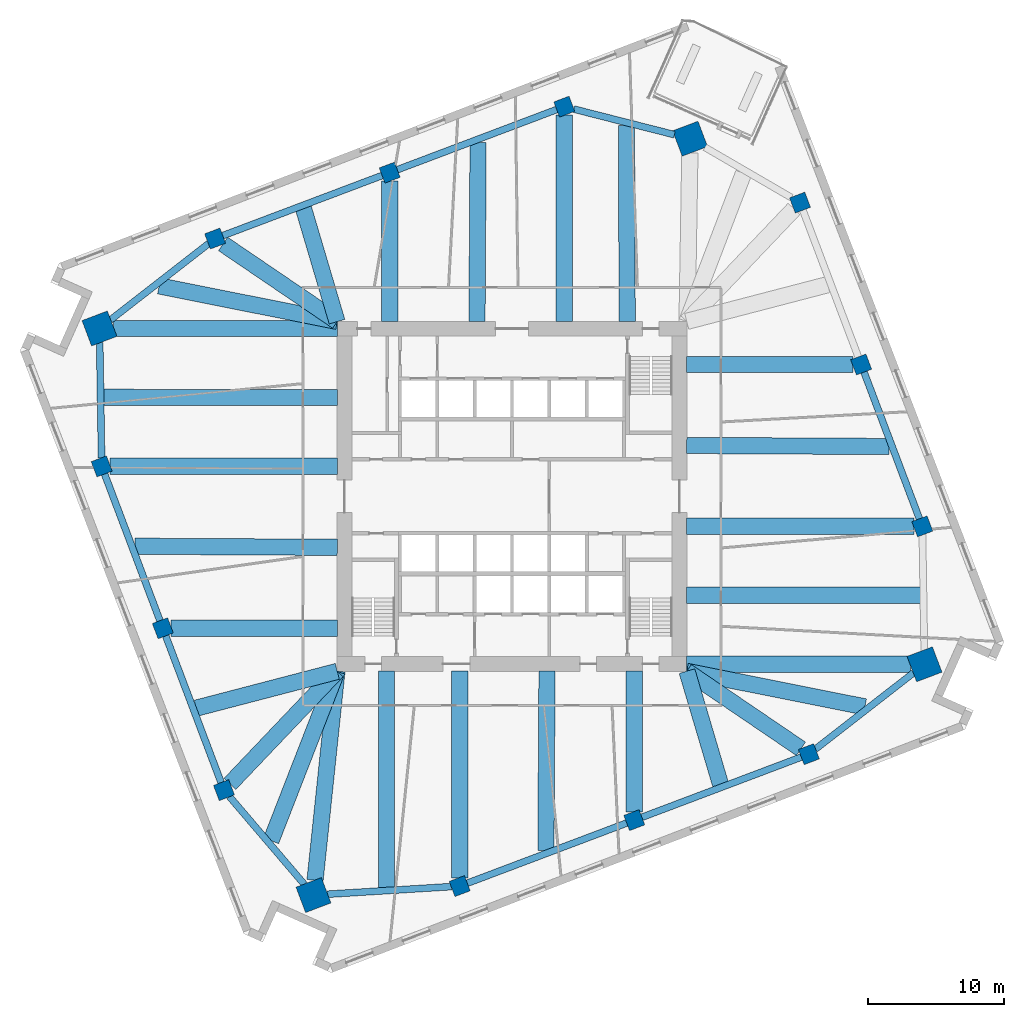
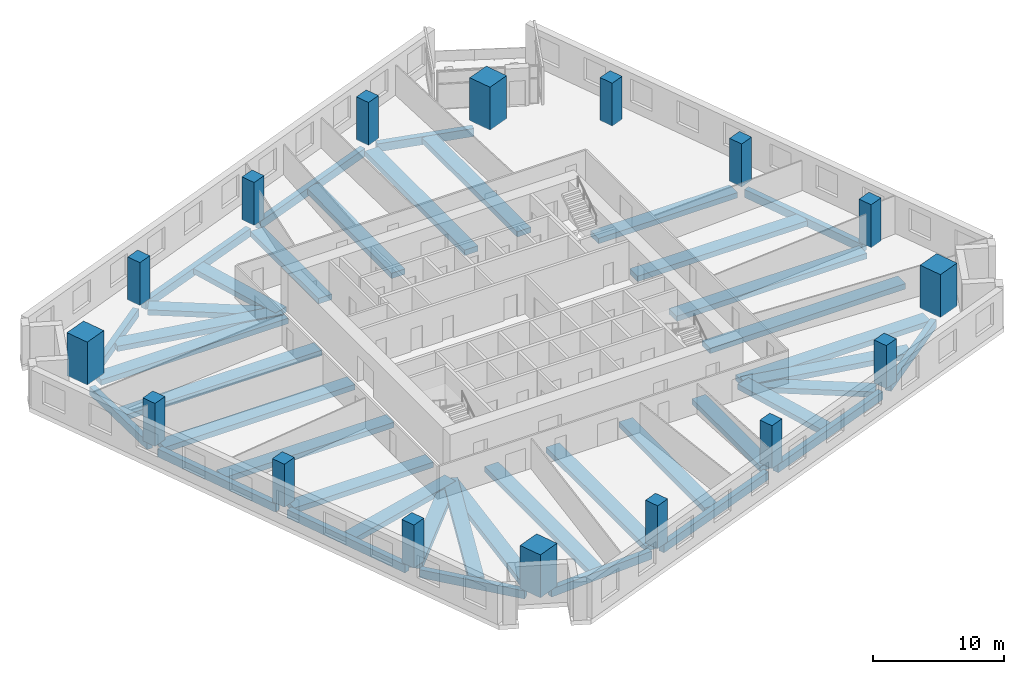
# One storey, part 1 of 14: 41 beams, 16 columns.
"""IFC4 building model written with IfcOpenShell, lengths in metres."""

import ifcopenshell
import ifcopenshell.guid

model = None  # the IFC model being written
_history = None  # IfcOwnerHistory: only IFC2X3 demands one
_inside = {}  # id of a spatial element -> (the spatial element, [elements in it])
_under = {}  # id of a project, library or spatial element -> (it, [spatial elements below it])
_declared = {}  # id of a project -> (the project, [libraries it declares])
_typed = {}  # id of a type object -> (the type object, [elements of that type])
_made_of = {}  # id of a material, layer set ... -> (it, [elements and type objects made of it])


def new_model(schema):
    """Start an empty IFC model of exactly this schema.

    Asked for "IFC4X3", IfcOpenShell would pick the latest addendum, in which some entities
    have other attributes; the version numbers below select the first issue.
    IFC2X3 requires an IfcOwnerHistory on every rooted entity: one is made here for all.
    """
    global model, _history
    if schema == "IFC4X3":
        model = ifcopenshell.file(schema_version=(4, 3, 0, 0))
    else:
        model = ifcopenshell.file(schema=schema)
    _inside.clear()
    _under.clear()
    _declared.clear()
    _typed.clear()
    _made_of.clear()
    _history = None
    if model.schema == "IFC2X3":
        org = make("IfcOrganization", Name="unknown")
        user = make(
            "IfcPersonAndOrganization",
            ThePerson=make("IfcPerson", FamilyName="unknown"),
            TheOrganization=org,
        )
        app = make(
            "IfcApplication",
            ApplicationDeveloper=org,
            Version="unknown",
            ApplicationFullName="unknown",
            ApplicationIdentifier="unknown",
        )
        _history = make(
            "IfcOwnerHistory",
            OwningUser=user,
            OwningApplication=app,
            ChangeAction="ADDED",
            CreationDate=0,
        )
    return model


def make(cls, **values):
    """One entity of the class cls with the attributes given. An attribute that is None is left unset."""
    return model.create_entity(
        cls, **{name: value for name, value in values.items() if value is not None}
    )


def rooted(cls, **values):
    """An entity with a GlobalId (a new one), such as an element, a storey or a relation."""
    return make(cls, GlobalId=ifcopenshell.guid.new(), OwnerHistory=_history, **values)


def si_unit(unit_type, name, prefix=None):
    """IfcSIUnit, for example si_unit("LENGTHUNIT", "METRE", prefix="MILLI")."""
    return make("IfcSIUnit", UnitType=unit_type, Prefix=prefix, Name=name)


def assignment(units):
    """IfcUnitAssignment: the units of a project."""
    return None if units is None else make("IfcUnitAssignment", Units=units)


def point(xyz):
    """IfcCartesianPoint."""
    return None if xyz is None else make("IfcCartesianPoint", Coordinates=xyz)


def direction(xyz):
    """IfcDirection."""
    return None if xyz is None else make("IfcDirection", DirectionRatios=xyz)


def frame(location, z_axis=None, x_axis=None):
    """IfcAxis2Placement3D, a coordinate frame: its origin and axes. An axis left out is left unset."""
    return make(
        "IfcAxis2Placement3D",
        Location=point(location),
        Axis=direction(z_axis),
        RefDirection=direction(x_axis),
    )


def frame_2d(location, x_axis=None):
    """IfcAxis2Placement2D, a coordinate frame in the plane: its origin and x axis."""
    return make(
        "IfcAxis2Placement2D", Location=point(location), RefDirection=direction(x_axis)
    )


def origin():
    """The frame at (0, 0, 0) with its axes left unset."""
    return frame((0.0, 0.0, 0.0))


def origin_2d():
    """The frame at (0, 0) in the plane with its x axis left unset."""
    return frame_2d((0.0, 0.0))


def place(relative_to, where):
    """IfcLocalPlacement: puts the frame where relative to a parent placement (None: the world)."""
    return make(
        "IfcLocalPlacement", PlacementRelTo=relative_to, RelativePlacement=where
    )


def context(
    kind, dimensions, precision=None, world=None, true_north=None, identifier=None
):
    """IfcGeometricRepresentationContext, for example the 3D "Model" context."""
    return make(
        "IfcGeometricRepresentationContext",
        ContextIdentifier=identifier,
        ContextType=kind,
        CoordinateSpaceDimension=dimensions,
        Precision=precision,
        WorldCoordinateSystem=world,
        TrueNorth=true_north,
    )


def subcontext(parent, identifier, kind, view, scale=None):
    """IfcGeometricRepresentationSubContext, for example "Body" below "Model"."""
    return make(
        "IfcGeometricRepresentationSubContext",
        ContextIdentifier=identifier,
        ContextType=kind,
        ParentContext=parent,
        TargetScale=scale,
        TargetView=view,
    )


def project(units=None, contexts=None):
    """IfcProject with its units and contexts."""
    return rooted(
        "IfcProject",
        Name="project",
        RepresentationContexts=contexts,
        UnitsInContext=assignment(units),
    )


def spatial(cls, under=None, at=None, **own):
    """A site, building, storey or space (cls), placed at a placement, below another one or the project."""
    s = rooted(cls, ObjectPlacement=at, **own)
    if under is not None:
        _under.setdefault(under.id(), (under, []))[1].append(s)
    return s


def profile(cls, at=None, kind="AREA", **sizes):
    """A parametric profile (cls). Its sizes go by their IFC names, for example OverallWidth=200.0."""
    return make(cls, ProfileType=kind, Position=at, **sizes)


def rectangle(**sizes):
    """IfcRectangleProfileDef."""
    return profile("IfcRectangleProfileDef", **sizes)


def extrude(swept, where, along, depth):
    """IfcExtrudedAreaSolid: the profile swept, set in the frame where, extruded along a direction by depth."""
    return make(
        "IfcExtrudedAreaSolid",
        SweptArea=swept,
        Position=where,
        ExtrudedDirection=direction(along),
        Depth=depth,
    )


def shape(context_of_items, identifier, shape_type, items):
    """IfcShapeRepresentation: the items that make up one representation, for example the "Body"."""
    return make(
        "IfcShapeRepresentation",
        ContextOfItems=context_of_items,
        RepresentationIdentifier=identifier,
        RepresentationType=shape_type,
        Items=items,
    )


def material(Name=None, Category=None):
    """IfcMaterial."""
    return make("IfcMaterial", Name=Name, Category=Category)


def material_profile(
    of_material, cross_section, Name=None, Category=None, Priority=None
):
    """IfcMaterialProfile: a cross section and its material."""
    return make(
        "IfcMaterialProfile",
        Name=Name,
        Material=of_material,
        Profile=cross_section,
        Priority=Priority,
        Category=Category,
    )


def profile_set(profiles, Name=None, composite=None):
    """IfcMaterialProfileSet."""
    return make(
        "IfcMaterialProfileSet",
        Name=Name,
        MaterialProfiles=profiles,
        CompositeProfile=composite,
    )


def made_of(thing, what):
    """Note that an element or type object is made of a material, layer set ...; save() writes the relation."""
    if what is not None:
        _made_of.setdefault(what.id(), (what, []))[1].append(thing)
    return thing


def type_object(cls, material=None, **own):
    """A type object (cls), such as IfcWallType, which elements share."""
    return made_of(rooted(cls, **own), material)


def element(
    cls,
    number,
    at=None,
    inside=None,
    cuts=None,
    type_object=None,
    material=None,
    context=None,
    identifier="Body",
    shape_type=None,
    held_by="IfcProductDefinitionShape",
    body=None,
    shapes=None,
    **own,
):
    """One element of the class cls, such as IfcWall. Its Tag is "e" and its number.

    at: its placement. inside: the storey or other place that contains it. cuts: it is an
    opening in that element (IfcRelVoidsElement). A single representation is given by context,
    identifier, shape_type and body (its items); several are given by shapes. held_by: the class
    of the entity that holds the representations. save() writes the other relations.
    """
    e = rooted(cls, Tag="e%d" % number, ObjectPlacement=at, **own)
    if body is not None:
        shapes = [shape(context, identifier, shape_type, body)]
    if shapes is not None:
        e.Representation = make(held_by, Representations=shapes)
    if inside is not None:
        _inside.setdefault(inside.id(), (inside, []))[1].append(e)
    if cuts is not None:
        rooted(
            "IfcRelVoidsElement", RelatingBuildingElement=cuts, RelatedOpeningElement=e
        )
    if type_object is not None:
        _typed.setdefault(type_object.id(), (type_object, []))[1].append(e)
    return made_of(e, material)


def aggregate(whole, parts):
    """IfcRelAggregates: a whole, such as a stair, and the parts it consists of."""
    return rooted("IfcRelAggregates", RelatingObject=whole, RelatedObjects=parts)


def save(model, path):
    """Write the relations noted so far, then the file.

    IfcRelAggregates (storeys below a building ...), IfcRelContainedInSpatialStructure (elements
    in a storey), IfcRelDefinesByType, IfcRelAssociatesMaterial and IfcRelDeclares: one each for
    every whole, place, type object, material and project.
    """
    for whole, parts in _under.values():
        aggregate(whole, parts)
    for where, things in _inside.values():
        rooted(
            "IfcRelContainedInSpatialStructure",
            RelatedElements=things,
            RelatingStructure=where,
        )
    for kind, things in _typed.values():
        rooted("IfcRelDefinesByType", RelatedObjects=things, RelatingType=kind)
    for what, things in _made_of.values():
        rooted("IfcRelAssociatesMaterial", RelatedObjects=things, RelatingMaterial=what)
    for by, libraries in _declared.values():
        rooted("IfcRelDeclares", RelatingContext=by, RelatedDefinitions=libraries)
    model.write(path)


model = new_model("IFC4")

# Units and contexts
model_context = context("Model", 3, precision=1e-05, world=origin(), true_north=direction((0.0, 1.0)))
body_context = subcontext(model_context, "Body", "Model", "MODEL_VIEW")
ifc_project = project(units=[si_unit("LENGTHUNIT", "METRE"), si_unit("AREAUNIT", "SQUARE_METRE"), si_unit("VOLUMEUNIT", "CUBIC_METRE"), si_unit("PLANEANGLEUNIT", "RADIAN"), si_unit("MASSUNIT", "GRAM", prefix="KILO")], contexts=[model_context])

# Site, building, storey
site_placement = place(None, origin())
site = spatial("IfcSite", under=ifc_project, at=site_placement, CompositionType="ELEMENT")
building_placement = place(site_placement, origin())
building = spatial("IfcBuilding", under=site, at=building_placement, Name="Dilmun Exchange Tower", CompositionType="ELEMENT")
storey_placement = place(building_placement, frame((0.0, 0.0, 102.10009765625)))
storey = spatial("IfcBuildingStorey", under=building, at=storey_placement, Name="L23", CompositionType="ELEMENT", Elevation=102.10009765625)

# Columns
ifc_material_1 = material(Name="Concrete C70/85", Category="concrete")
ifc_material_profile_1 = material_profile(ifc_material_1, rectangle(XDim=2.0, YDim=2.0, at=origin_2d()), Name="2000 x 2000")
ifc_profile_set_1 = profile_set([ifc_material_profile_1], Name="Concrete C70/85")
column_type_1 = type_object("IfcColumnType", Name="RC mega column 2000 x 2000 C70/85", PredefinedType="COLUMN", material=ifc_profile_set_1)
for number, where, z_axis, x_axis, name in (
    (1, (13.1220703125, 26.35400390625, 0.0), (0.0, 0.0, 1.0), (0.935491525991, 0.353349125935, 0.0), "Mega column M1"),
    (2, (-30.39404296875, 12.37109375, 0.0), (0.0, 0.0, 1.0), (0.935491525991, 0.353349125935, 0.0), "Mega column M2"),
    (3, (-14.6259765625, -29.3759765625, 0.0), (0.0, 0.0, 1.0), (0.935491525991, 0.353349125935, 0.0), "Mega column M3"),
    (4, (30.39404296875, -12.37109375, 0.0), (0.0, 0.0, 1.0), (0.935491525991, 0.353349125935, 0.0), "Mega column M4"),
):
    element("IfcColumn", number, at=place(storey_placement, frame(where, z_axis=z_axis, x_axis=x_axis)), inside=storey, type_object=column_type_1, Name=name, PredefinedType="COLUMN", context=body_context, shape_type="SweptSolid", body=[
        extrude(rectangle(XDim=2.0, YDim=2.0, at=origin_2d()), origin(), (0.0, 0.0, 1.0), 4.0),
    ])
ifc_material_profile_2 = material_profile(ifc_material_1, rectangle(XDim=1.199951171875, YDim=1.199951171875, at=origin_2d()), Name="1200 x 1200")
ifc_profile_set_2 = profile_set([ifc_material_profile_2], Name="Concrete C70/85")
column_type_2 = type_object("IfcColumnType", Name="RC ring column 1200 x 1200 C70/85", PredefinedType="COLUMN", material=ifc_profile_set_2)
for number, where, z_axis, x_axis, name in (
    (5, (3.85302734375, 28.714111328125, 0.0), (0.0, 0.0, 1.0), (0.935491525991, 0.353349125935, 0.0), "Ring column R01"),
    (6, (-9.010009765625, 23.85498046875, 0.0), (0.0, 0.0, 1.0), (0.935491525991, 0.353349125935, 0.0), "Ring column R02"),
    (7, (-21.873046875, 18.99609375, 0.0), (0.0, 0.0, 1.0), (0.935491525991, 0.353349125935, 0.0), "Ring column R03"),
    (8, (-30.23095703125, 2.2099609375, 0.0), (0.0, 0.0, 1.0), (0.935491525991, 0.353349125935, 0.0), "Ring column R04"),
    (9, (-25.72607421875, -9.717041015625, 0.0), (0.0, 0.0, 1.0), (0.935491525991, 0.353349125935, 0.0), "Ring column R05"),
    (10, (-21.220947265625, -21.64501953125, 0.0), (0.0, 0.0, 1.0), (0.935491525991, 0.353349125935, 0.0), "Ring column R06"),
    (11, (-3.85302734375, -28.714111328125, 0.0), (0.0, 0.0, 1.0), (0.935491525991, 0.353349125935, 0.0), "Ring column R07"),
    (12, (9.010009765625, -23.85498046875, 0.0), (0.0, 0.0, 1.0), (0.935491525991, 0.353349125935, 0.0), "Ring column R08"),
    (13, (21.873046875, -18.99609375, 0.0), (0.0, 0.0, 1.0), (0.935491525991, 0.353349125935, 0.0), "Ring column R09"),
    (14, (30.23095703125, -2.2099609375, 0.0), (0.0, 0.0, 1.0), (0.935491525991, 0.353349125935, 0.0), "Ring column R10"),
    (15, (25.72607421875, 9.717041015625, 0.0), (0.0, 0.0, 1.0), (0.935491525991, 0.353349125935, 0.0), "Ring column R11"),
    (16, (21.220947265625, 21.64501953125, 0.0), (0.0, 0.0, 1.0), (0.935491525991, 0.353349125935, 0.0), "Ring column R12"),
):
    element("IfcColumn", number, at=place(storey_placement, frame(where, z_axis=z_axis, x_axis=x_axis)), inside=storey, type_object=column_type_2, Name=name, PredefinedType="COLUMN", context=body_context, shape_type="SweptSolid", body=[
        extrude(rectangle(XDim=1.199951171875, YDim=1.199951171875, at=origin_2d()), origin(), (0.0, 0.0, 1.0), 4.0),
    ])

# Beams
ifc_material_2 = material(Name="Concrete C40/50", Category="concrete")
ifc_material_profile_3 = material_profile(ifc_material_2, rectangle(XDim=1.199951171875, YDim=0.5, at=origin_2d()), Name="1200 x 500")
ifc_profile_set_3 = profile_set([ifc_material_profile_3], Name="Concrete C40/50")
beam_type_1 = type_object("IfcBeamType", Name="RC band beam 1200 x 500 C40/50", PredefinedType="BEAM", material=ifc_profile_set_3)
beam_1_placement = place(storey_placement, frame((3.85302734375, 28.099609375, -0.77001953125), z_axis=(0.0, -1.0, 0.0), x_axis=(1.0, 0.0, 0.0)))
element("IfcBeam", 17, at=beam_1_placement, inside=storey, type_object=beam_type_1, Name="Band beam 2", PredefinedType="BEAM", context=body_context, shape_type="SweptSolid", body=[
    extrude(rectangle(XDim=1.199951171875, YDim=0.5, at=origin_2d()), origin(), (0.0, 0.0, 1.0), 15.2265625),
])
beam_2_placement = place(storey_placement, frame((-9.010009765625, 23.240478515625, -0.77001953125), z_axis=(0.0, -1.0, 0.0), x_axis=(1.0, 0.0, 0.0)))
element("IfcBeam", 18, at=beam_2_placement, inside=storey, type_object=beam_type_1, Name="Band beam 3", PredefinedType="BEAM", context=body_context, shape_type="SweptSolid", body=[
    extrude(rectangle(XDim=1.199951171875, YDim=0.5, at=origin_2d()), origin(), (0.0, 0.0, 1.0), 10.367431640625),
])
beam_3_placement = place(storey_placement, frame((-21.28857421875, 18.59912109375, -0.77001953125), z_axis=(0.827157308771, -0.561970449888, 0.0), x_axis=(0.561970449888, 0.827157308771, 0.0)))
element("IfcBeam", 19, at=beam_3_placement, inside=storey, type_object=beam_type_1, Name="Band beam 4", PredefinedType="BEAM", context=body_context, shape_type="SweptSolid", body=[
    extrude(rectangle(XDim=1.199951171875, YDim=0.5, at=origin_2d()), origin(), (0.0, 0.0, 1.0), 10.16845703125),
])
beam_4_placement = place(storey_placement, frame((-29.35205078125, 12.37109375, -0.77001953125), z_axis=(1.0, 0.0, 0.0), x_axis=(0.0, 1.0, 0.0)))
element("IfcBeam", 20, at=beam_4_placement, inside=storey, type_object=beam_type_1, Name="Band beam 5", PredefinedType="BEAM", context=body_context, shape_type="SweptSolid", body=[
    extrude(rectangle(XDim=1.199951171875, YDim=0.5, at=origin_2d()), origin(), (0.0, 0.0, 1.0), 16.47900390625),
])
beam_5_placement = place(storey_placement, frame((-29.61669921875, 2.2099609375, -0.77001953125), z_axis=(1.0, 0.0, 0.0), x_axis=(0.0, 1.0, 0.0)))
element("IfcBeam", 21, at=beam_5_placement, inside=storey, type_object=beam_type_1, Name="Band beam 6", PredefinedType="BEAM", context=body_context, shape_type="SweptSolid", body=[
    extrude(rectangle(XDim=1.199951171875, YDim=0.5, at=origin_2d()), origin(), (0.0, 0.0, 1.0), 16.74365234375),
])
beam_6_placement = place(storey_placement, frame((-25.111572265625, -9.717041015625, -0.77001953125), z_axis=(1.0, 0.0, 0.0), x_axis=(0.0, 1.0, 0.0)))
element("IfcBeam", 22, at=beam_6_placement, inside=storey, type_object=beam_type_1, Name="Band beam 7", PredefinedType="BEAM", context=body_context, shape_type="SweptSolid", body=[
    extrude(rectangle(XDim=1.199951171875, YDim=0.5, at=origin_2d()), origin(), (0.0, 0.0, 1.0), 12.238525390625),
])
beam_7_placement = place(storey_placement, frame((-20.780517578125, -21.181884765625, -0.77001953125), z_axis=(0.689333244672, 0.724444392476, 0.0), x_axis=(-0.724444392476, 0.689333244672, 0.0)))
element("IfcBeam", 23, at=beam_7_placement, inside=storey, type_object=beam_type_1, Name="Band beam 8", PredefinedType="BEAM", context=body_context, shape_type="SweptSolid", body=[
    extrude(rectangle(XDim=1.199951171875, YDim=0.5, at=origin_2d()), origin(), (0.0, 0.0, 1.0), 11.459228515625),
])
beam_8_placement = place(storey_placement, frame((-14.51220703125, -28.289794921875, -0.77001953125), z_axis=(0.104185478447, 0.994557884731, 0.0), x_axis=(-0.994557884731, 0.104185478447, 0.0)))
element("IfcBeam", 24, at=beam_8_placement, inside=storey, type_object=beam_type_1, Name="Band beam 9", PredefinedType="BEAM", context=body_context, shape_type="SweptSolid", body=[
    extrude(rectangle(XDim=1.199951171875, YDim=0.5, at=origin_2d()), origin(), (0.0, 0.0, 1.0), 15.501220703125),
])
beam_9_placement = place(storey_placement, frame((-3.85302734375, -28.099609375, -0.77001953125), z_axis=(0.0, 1.0, 0.0), x_axis=(-1.0, 0.0, 0.0)))
element("IfcBeam", 25, at=beam_9_placement, inside=storey, type_object=beam_type_1, Name="Band beam 10", PredefinedType="BEAM", context=body_context, shape_type="SweptSolid", body=[
    extrude(rectangle(XDim=1.199951171875, YDim=0.5, at=origin_2d()), origin(), (0.0, 0.0, 1.0), 15.2265625),
])
beam_10_placement = place(storey_placement, frame((9.010009765625, -23.240478515625, -0.77001953125), z_axis=(0.0, 1.0, 0.0), x_axis=(-1.0, 0.0, 0.0)))
element("IfcBeam", 26, at=beam_10_placement, inside=storey, type_object=beam_type_1, Name="Band beam 11", PredefinedType="BEAM", context=body_context, shape_type="SweptSolid", body=[
    extrude(rectangle(XDim=1.199951171875, YDim=0.5, at=origin_2d()), origin(), (0.0, 0.0, 1.0), 10.367431640625),
])
beam_11_placement = place(storey_placement, frame((21.28857421875, -18.59912109375, -0.77001953125), z_axis=(-0.827157308771, 0.561970449888, 0.0), x_axis=(-0.561970449888, -0.827157308771, 0.0)))
element("IfcBeam", 27, at=beam_11_placement, inside=storey, type_object=beam_type_1, Name="Band beam 12", PredefinedType="BEAM", context=body_context, shape_type="SweptSolid", body=[
    extrude(rectangle(XDim=1.199951171875, YDim=0.5, at=origin_2d()), origin(), (0.0, 0.0, 1.0), 10.16845703125),
])
beam_12_placement = place(storey_placement, frame((29.35205078125, -12.37109375, -0.77001953125), z_axis=(-1.0, 0.0, 0.0), x_axis=(0.0, -1.0, 0.0)))
element("IfcBeam", 28, at=beam_12_placement, inside=storey, type_object=beam_type_1, Name="Band beam 13", PredefinedType="BEAM", context=body_context, shape_type="SweptSolid", body=[
    extrude(rectangle(XDim=1.199951171875, YDim=0.5, at=origin_2d()), origin(), (0.0, 0.0, 1.0), 16.47900390625),
])
beam_13_placement = place(storey_placement, frame((29.61669921875, -2.2099609375, -0.77001953125), z_axis=(-1.0, 0.0, 0.0), x_axis=(0.0, -1.0, 0.0)))
element("IfcBeam", 29, at=beam_13_placement, inside=storey, type_object=beam_type_1, Name="Band beam 14", PredefinedType="BEAM", context=body_context, shape_type="SweptSolid", body=[
    extrude(rectangle(XDim=1.199951171875, YDim=0.5, at=origin_2d()), origin(), (0.0, 0.0, 1.0), 16.74365234375),
])
beam_14_placement = place(storey_placement, frame((25.111572265625, 9.717041015625, -0.77001953125), z_axis=(-1.0, 0.0, 0.0), x_axis=(0.0, -1.0, 0.0)))
element("IfcBeam", 30, at=beam_14_placement, inside=storey, type_object=beam_type_1, Name="Band beam 15", PredefinedType="BEAM", context=body_context, shape_type="SweptSolid", body=[
    extrude(rectangle(XDim=1.199951171875, YDim=0.5, at=origin_2d()), origin(), (0.0, 0.0, 1.0), 12.238525390625),
])
beam_15_placement = place(storey_placement, frame((8.4326171875, 27.31787109375, -0.670166015625), z_axis=(0.003802832253, -0.999992769207, 0.0), x_axis=(0.999992769207, 0.003802832253, 0.0)))
element("IfcBeam", 31, at=beam_15_placement, inside=storey, type_object=beam_type_1, Name="Band beam 17", PredefinedType="BEAM", context=body_context, shape_type="SweptSolid", body=[
    extrude(rectangle(XDim=1.199951171875, YDim=0.5, at=origin_2d()), origin(), (0.0, 0.0, 1.0), 14.44482421875),
])
beam_16_placement = place(storey_placement, frame((-2.499755859375, 26.075927734375, -0.670166015625), z_axis=(-0.005972637047, -0.999982163644, 0.0), x_axis=(0.999982163644, -0.005972637047, 0.0)))
element("IfcBeam", 32, at=beam_16_placement, inside=storey, type_object=beam_type_1, Name="Band beam 18", PredefinedType="BEAM", context=body_context, shape_type="SweptSolid", body=[
    extrude(rectangle(XDim=1.199951171875, YDim=0.5, at=origin_2d()), origin(), (0.0, 0.0, 1.0), 13.203125),
])
beam_17_placement = place(storey_placement, frame((-15.36279296875, 21.216796875, -0.670166015625), z_axis=(0.283932601838, -0.958844240538, 0.0), x_axis=(0.958844240538, 0.283932601838, 0.0)))
element("IfcBeam", 33, at=beam_17_placement, inside=storey, type_object=beam_type_1, Name="Band beam 19", PredefinedType="BEAM", context=body_context, shape_type="SweptSolid", body=[
    extrude(rectangle(XDim=1.199951171875, YDim=0.5, at=origin_2d()), origin(), (0.0, 0.0, 1.0), 8.700927734375),
])
beam_18_placement = place(storey_placement, frame((-25.99658203125, 15.50732421875, -0.670166015625), z_axis=(0.980746640289, -0.19528447855, 0.0), x_axis=(0.19528447855, 0.980746640289, 0.0)))
element("IfcBeam", 34, at=beam_18_placement, inside=storey, type_object=beam_type_1, Name="Band beam 20", PredefinedType="BEAM", context=body_context, shape_type="SweptSolid", body=[
    extrude(rectangle(XDim=1.199951171875, YDim=0.5, at=origin_2d()), origin(), (0.0, 0.0, 1.0), 13.380615234375),
])
beam_19_placement = place(storey_placement, frame((-30.089599609375, 7.294189453125, -0.670166015625), z_axis=(0.999999977378, -0.000212708627, 0.0), x_axis=(0.000212708627, 0.999999977378, 0.0)))
element("IfcBeam", 35, at=beam_19_placement, inside=storey, type_object=beam_type_1, Name="Band beam 21", PredefinedType="BEAM", context=body_context, shape_type="SweptSolid", body=[
    extrude(rectangle(XDim=1.199951171875, YDim=0.5, at=origin_2d()), origin(), (0.0, 0.0, 1.0), 17.216552734375),
])
beam_20_placement = place(storey_placement, frame((-27.77001953125, -3.6748046875, -0.670166015625), z_axis=(0.999986076233, -0.005277057861, 0.0), x_axis=(0.005277057861, 0.999986076233, 0.0)))
element("IfcBeam", 36, at=beam_20_placement, inside=storey, type_object=beam_type_1, Name="Band beam 22", PredefinedType="BEAM", context=body_context, shape_type="SweptSolid", body=[
    extrude(rectangle(XDim=1.199951171875, YDim=0.5, at=origin_2d()), origin(), (0.0, 0.0, 1.0), 14.897216796875),
])
beam_21_placement = place(storey_placement, frame((-23.264892578125, -15.602294921875, -0.670166015625), z_axis=(0.967651305888, 0.252291399404, 0.0), x_axis=(-0.252291399404, 0.967651305888, 0.0)))
element("IfcBeam", 37, at=beam_21_placement, inside=storey, type_object=beam_type_1, Name="Band beam 23", PredefinedType="BEAM", context=body_context, shape_type="SweptSolid", body=[
    extrude(rectangle(XDim=1.199951171875, YDim=0.5, at=origin_2d()), origin(), (0.0, 0.0, 1.0), 10.738525390625),
])
beam_22_placement = place(storey_placement, frame((-17.75390625, -25.36572265625, -0.670166015625), z_axis=(0.362868113779, 0.931840507814, 0.0), x_axis=(-0.931840507814, 0.362868113779, 0.0)))
element("IfcBeam", 38, at=beam_22_placement, inside=storey, type_object=beam_type_1, Name="Band beam 24", PredefinedType="BEAM", context=body_context, shape_type="SweptSolid", body=[
    extrude(rectangle(XDim=1.199951171875, YDim=0.5, at=origin_2d()), origin(), (0.0, 0.0, 1.0), 13.404296875),
])
beam_23_placement = place(storey_placement, frame((-9.253173828125, -28.822509765625, -0.670166015625), z_axis=(0.000857199397, 0.999999632605, 0.0), x_axis=(-0.999999632605, 0.000857199397, 0.0)))
element("IfcBeam", 39, at=beam_23_placement, inside=storey, type_object=beam_type_1, Name="Band beam 25", PredefinedType="BEAM", context=body_context, shape_type="SweptSolid", body=[
    extrude(rectangle(XDim=1.199951171875, YDim=0.5, at=origin_2d()), origin(), (0.0, 0.0, 1.0), 15.949462890625),
])
beam_24_placement = place(storey_placement, frame((2.499755859375, -26.075927734375, -0.670166015625), z_axis=(0.005972637047, 0.999982163644, 0.0), x_axis=(-0.999982163644, 0.005972637047, 0.0)))
element("IfcBeam", 40, at=beam_24_placement, inside=storey, type_object=beam_type_1, Name="Band beam 26", PredefinedType="BEAM", context=body_context, shape_type="SweptSolid", body=[
    extrude(rectangle(XDim=1.199951171875, YDim=0.5, at=origin_2d()), origin(), (0.0, 0.0, 1.0), 13.203125),
])
beam_25_placement = place(storey_placement, frame((15.36279296875, -21.216796875, -0.670166015625), z_axis=(-0.283932601838, 0.958844240538, 0.0), x_axis=(-0.958844240538, -0.283932601838, 0.0)))
element("IfcBeam", 41, at=beam_25_placement, inside=storey, type_object=beam_type_1, Name="Band beam 27", PredefinedType="BEAM", context=body_context, shape_type="SweptSolid", body=[
    extrude(rectangle(XDim=1.199951171875, YDim=0.5, at=origin_2d()), origin(), (0.0, 0.0, 1.0), 8.700927734375),
])
beam_26_placement = place(storey_placement, frame((25.99658203125, -15.50732421875, -0.670166015625), z_axis=(-0.980746640289, 0.19528447855, 0.0), x_axis=(-0.19528447855, -0.980746640289, 0.0)))
element("IfcBeam", 42, at=beam_26_placement, inside=storey, type_object=beam_type_1, Name="Band beam 28", PredefinedType="BEAM", context=body_context, shape_type="SweptSolid", body=[
    extrude(rectangle(XDim=1.199951171875, YDim=0.5, at=origin_2d()), origin(), (0.0, 0.0, 1.0), 13.380615234375),
])
beam_27_placement = place(storey_placement, frame((30.089599609375, -7.294189453125, -0.670166015625), z_axis=(-0.999999977378, 0.000212708627, 0.0), x_axis=(-0.000212708627, -0.999999977378, 0.0)))
element("IfcBeam", 43, at=beam_27_placement, inside=storey, type_object=beam_type_1, Name="Band beam 29", PredefinedType="BEAM", context=body_context, shape_type="SweptSolid", body=[
    extrude(rectangle(XDim=1.199951171875, YDim=0.5, at=origin_2d()), origin(), (0.0, 0.0, 1.0), 17.216552734375),
])
beam_28_placement = place(storey_placement, frame((27.77001953125, 3.6748046875, -0.670166015625), z_axis=(-0.999986076233, 0.005277057861, 0.0), x_axis=(-0.005277057861, -0.999986076233, 0.0)))
element("IfcBeam", 44, at=beam_28_placement, inside=storey, type_object=beam_type_1, Name="Band beam 30", PredefinedType="BEAM", context=body_context, shape_type="SweptSolid", body=[
    extrude(rectangle(XDim=1.199951171875, YDim=0.5, at=origin_2d()), origin(), (0.0, 0.0, 1.0), 14.897216796875),
])
ifc_material_profile_4 = material_profile(ifc_material_2, rectangle(XDim=0.5, YDim=0.75, at=origin_2d()), Name="500 x 750")
ifc_profile_set_4 = profile_set([ifc_material_profile_4], Name="Concrete C40/50")
beam_type_2 = type_object("IfcBeamType", Name="RC ring beam 500 x 750 C40/50", PredefinedType="SPANDREL", material=ifc_profile_set_4)
beam_29_placement = place(storey_placement, frame((11.965576171875, 26.6484375, -0.795166015625), z_axis=(-0.969078622485, 0.246752149825, 0.0), x_axis=(-0.246752149825, -0.969078622485, 0.0)))
element("IfcBeam", 45, at=beam_29_placement, inside=storey, type_object=beam_type_2, Name="Ring beam 1", PredefinedType="SPANDREL", context=body_context, shape_type="SweptSolid", body=[
    extrude(rectangle(XDim=0.5, YDim=0.75, at=origin_2d()), origin(), (0.0, 0.0, 1.0), 7.666015625),
])
for number, where, z_axis, x_axis, name in (
    (46, (3.31689453125, 28.511474609375, -0.795166015625), (-0.935485896268, -0.353364030264, 0.0), (0.353364030264, -0.935485896268, 0.0), "Ring beam 2"),
    (47, (-9.5458984375, 23.652587890625, -0.795166015625), (-0.935479493126, -0.353380981294, 0.0), (0.353380981294, -0.935479493126, 0.0), "Ring beam 3"),
):
    element("IfcBeam", number, at=place(storey_placement, frame(where, z_axis=z_axis, x_axis=x_axis)), inside=storey, type_object=beam_type_2, Name=name, PredefinedType="SPANDREL", context=body_context, shape_type="SweptSolid", body=[
        extrude(rectangle(XDim=0.5, YDim=0.75, at=origin_2d()), origin(), (0.0, 0.0, 1.0), 12.604248046875),
    ])
beam_30_placement = place(storey_placement, frame((-22.347412109375, 18.627197265625, -0.795166015625), z_axis=(-0.789461122688, -0.613800566767, 0.0), x_axis=(0.613800566767, -0.789461122688, 0.0)))
element("IfcBeam", 48, at=beam_30_placement, inside=storey, type_object=beam_type_2, Name="Ring beam 4", PredefinedType="SPANDREL", context=body_context, shape_type="SweptSolid", body=[
    extrude(rectangle(XDim=0.5, YDim=0.75, at=origin_2d()), origin(), (0.0, 0.0, 1.0), 9.1728515625),
])
beam_31_placement = place(storey_placement, frame((-30.37744140625, 11.33544921875, -0.795166015625), z_axis=(0.016054357527, -0.999871120497, 0.0), x_axis=(0.999871120497, 0.016054357527, 0.0)))
element("IfcBeam", 49, at=beam_31_placement, inside=storey, type_object=beam_type_2, Name="Ring beam 5", PredefinedType="SPANDREL", context=body_context, shape_type="SweptSolid", body=[
    extrude(rectangle(XDim=0.5, YDim=0.75, at=origin_2d()), origin(), (0.0, 0.0, 1.0), 8.515869140625),
])
beam_32_placement = place(storey_placement, frame((-30.028564453125, 1.674072265625, -0.795166015625), z_axis=(0.353349831573, -0.935491259461, 0.0), x_axis=(0.935491259461, 0.353349831573, 0.0)))
element("IfcBeam", 50, at=beam_32_placement, inside=storey, type_object=beam_type_2, Name="Ring beam 6", PredefinedType="SPANDREL", context=body_context, shape_type="SweptSolid", body=[
    extrude(rectangle(XDim=0.5, YDim=0.75, at=origin_2d()), origin(), (0.0, 0.0, 1.0), 11.603515625),
])
beam_33_placement = place(storey_placement, frame((-25.5234375, -10.2529296875, -0.795166015625), z_axis=(0.353303601311, -0.935508720056, 0.0), x_axis=(0.935508720056, 0.353303601311, 0.0)))
element("IfcBeam", 51, at=beam_33_placement, inside=storey, type_object=beam_type_2, Name="Ring beam 7", PredefinedType="SPANDREL", context=body_context, shape_type="SweptSolid", body=[
    extrude(rectangle(XDim=0.5, YDim=0.75, at=origin_2d()), origin(), (0.0, 0.0, 1.0), 11.604248046875),
])
beam_34_placement = place(storey_placement, frame((-20.82470703125, -22.109619140625, -0.795166015625), z_axis=(0.64900225023, -0.76078648726, 0.0), x_axis=(0.76078648726, 0.64900225023, 0.0)))
element("IfcBeam", 52, at=beam_34_placement, inside=storey, type_object=beam_type_2, Name="Ring beam 8", PredefinedType="SPANDREL", context=body_context, shape_type="SweptSolid", body=[
    extrude(rectangle(XDim=0.5, YDim=0.75, at=origin_2d()), origin(), (0.0, 0.0, 1.0), 8.515625),
])
beam_35_placement = place(storey_placement, frame((-13.608154296875, -29.3134765625, -0.795166015625), z_axis=(0.998117890072, 0.061324363166, 0.0), x_axis=(-0.061324363166, 0.998117890072, 0.0)))
element("IfcBeam", 53, at=beam_35_placement, inside=storey, type_object=beam_type_2, Name="Ring beam 9", PredefinedType="SPANDREL", context=body_context, shape_type="SweptSolid", body=[
    extrude(rectangle(XDim=0.5, YDim=0.75, at=origin_2d()), origin(), (0.0, 0.0, 1.0), 9.172607421875),
])
for number, where, z_axis, x_axis, name in (
    (54, (-3.31689453125, -28.511474609375, -0.795166015625), (0.935485896268, 0.353364030264, 0.0), (-0.353364030264, 0.935485896268, 0.0), "Ring beam 10"),
    (55, (9.5458984375, -23.652587890625, -0.795166015625), (0.935479493126, 0.353380981294, 0.0), (-0.353380981294, 0.935479493126, 0.0), "Ring beam 11"),
):
    element("IfcBeam", number, at=place(storey_placement, frame(where, z_axis=z_axis, x_axis=x_axis)), inside=storey, type_object=beam_type_2, Name=name, PredefinedType="SPANDREL", context=body_context, shape_type="SweptSolid", body=[
        extrude(rectangle(XDim=0.5, YDim=0.75, at=origin_2d()), origin(), (0.0, 0.0, 1.0), 12.604248046875),
    ])
beam_36_placement = place(storey_placement, frame((22.347412109375, -18.627197265625, -0.795166015625), z_axis=(0.789461122688, 0.613800566767, 0.0), x_axis=(-0.613800566767, 0.789461122688, 0.0)))
element("IfcBeam", 56, at=beam_36_placement, inside=storey, type_object=beam_type_2, Name="Ring beam 12", PredefinedType="SPANDREL", context=body_context, shape_type="SweptSolid", body=[
    extrude(rectangle(XDim=0.5, YDim=0.75, at=origin_2d()), origin(), (0.0, 0.0, 1.0), 9.1728515625),
])
beam_37_placement = place(storey_placement, frame((30.028564453125, -1.674072265625, -0.795166015625), z_axis=(-0.353349831573, 0.935491259461, 0.0), x_axis=(-0.935491259461, -0.353349831573, 0.0)))
element("IfcBeam", 57, at=beam_37_placement, inside=storey, type_object=beam_type_2, Name="Ring beam 14", PredefinedType="SPANDREL", context=body_context, shape_type="SweptSolid", body=[
    extrude(rectangle(XDim=0.5, YDim=0.75, at=origin_2d()), origin(), (0.0, 0.0, 1.0), 11.603515625),
])

save(model, "model.ifc")
